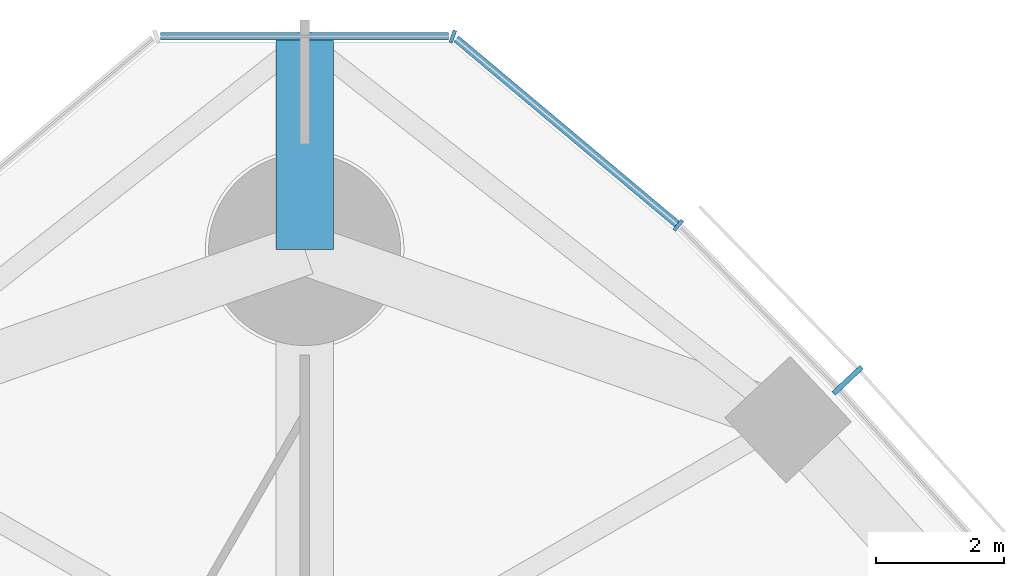
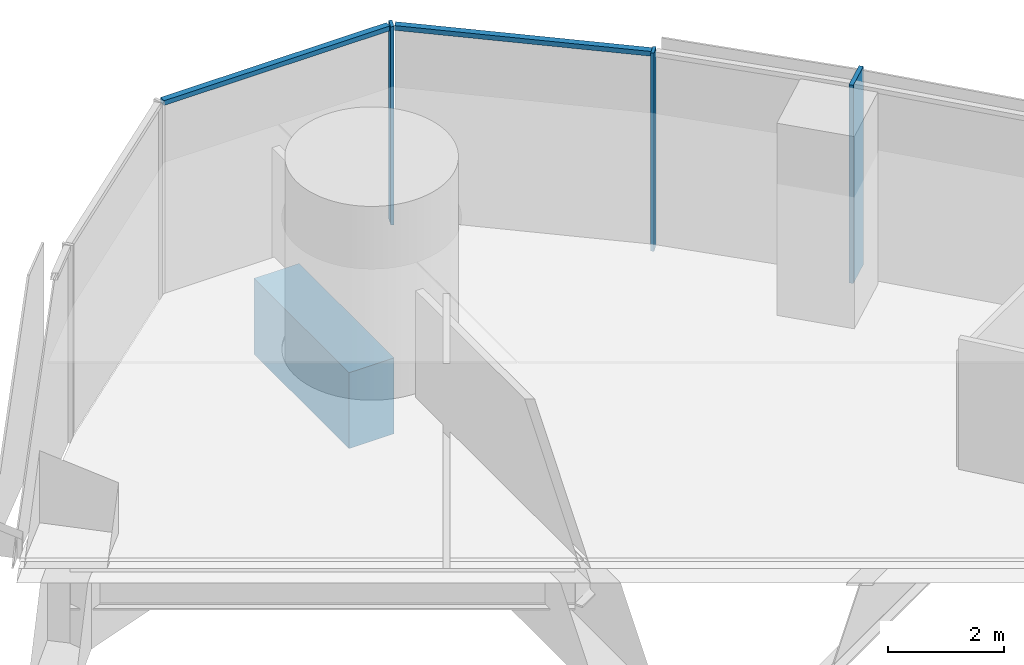
# One storey, part 8 of 19: 5 members, 1 beam, 2 elements without a shape of their own.
"""IFC4 building model written with IfcOpenShell, lengths in metres."""

import ifcopenshell
import ifcopenshell.guid

model = None  # the IFC model being written
_history = None  # IfcOwnerHistory: only IFC2X3 demands one
_inside = {}  # id of a spatial element -> (the spatial element, [elements in it])
_under = {}  # id of a project, library or spatial element -> (it, [spatial elements below it])
_declared = {}  # id of a project -> (the project, [libraries it declares])
_typed = {}  # id of a type object -> (the type object, [elements of that type])
_made_of = {}  # id of a material, layer set ... -> (it, [elements and type objects made of it])


def new_model(schema):
    """Start an empty IFC model of exactly this schema.

    Asked for "IFC4X3", IfcOpenShell would pick the latest addendum, in which some entities
    have other attributes; the version numbers below select the first issue.
    IFC2X3 requires an IfcOwnerHistory on every rooted entity: one is made here for all.
    """
    global model, _history
    if schema == "IFC4X3":
        model = ifcopenshell.file(schema_version=(4, 3, 0, 0))
    else:
        model = ifcopenshell.file(schema=schema)
    _inside.clear()
    _under.clear()
    _declared.clear()
    _typed.clear()
    _made_of.clear()
    _history = None
    if model.schema == "IFC2X3":
        org = make("IfcOrganization", Name="unknown")
        user = make(
            "IfcPersonAndOrganization",
            ThePerson=make("IfcPerson", FamilyName="unknown"),
            TheOrganization=org,
        )
        app = make(
            "IfcApplication",
            ApplicationDeveloper=org,
            Version="unknown",
            ApplicationFullName="unknown",
            ApplicationIdentifier="unknown",
        )
        _history = make(
            "IfcOwnerHistory",
            OwningUser=user,
            OwningApplication=app,
            ChangeAction="ADDED",
            CreationDate=0,
        )
    return model


def make(cls, **values):
    """One entity of the class cls with the attributes given. An attribute that is None is left unset."""
    return model.create_entity(
        cls, **{name: value for name, value in values.items() if value is not None}
    )


def rooted(cls, **values):
    """An entity with a GlobalId (a new one), such as an element, a storey or a relation."""
    return make(cls, GlobalId=ifcopenshell.guid.new(), OwnerHistory=_history, **values)


def si_unit(unit_type, name, prefix=None):
    """IfcSIUnit, for example si_unit("LENGTHUNIT", "METRE", prefix="MILLI")."""
    return make("IfcSIUnit", UnitType=unit_type, Prefix=prefix, Name=name)


def assignment(units):
    """IfcUnitAssignment: the units of a project."""
    return None if units is None else make("IfcUnitAssignment", Units=units)


def point(xyz):
    """IfcCartesianPoint."""
    return None if xyz is None else make("IfcCartesianPoint", Coordinates=xyz)


def direction(xyz):
    """IfcDirection."""
    return None if xyz is None else make("IfcDirection", DirectionRatios=xyz)


def frame(location, z_axis=None, x_axis=None):
    """IfcAxis2Placement3D, a coordinate frame: its origin and axes. An axis left out is left unset."""
    return make(
        "IfcAxis2Placement3D",
        Location=point(location),
        Axis=direction(z_axis),
        RefDirection=direction(x_axis),
    )


def frame_2d(location, x_axis=None):
    """IfcAxis2Placement2D, a coordinate frame in the plane: its origin and x axis."""
    return make(
        "IfcAxis2Placement2D", Location=point(location), RefDirection=direction(x_axis)
    )


def origin():
    """The frame at (0, 0, 0) with its axes left unset."""
    return frame((0.0, 0.0, 0.0))


def origin_2d():
    """The frame at (0, 0) in the plane with its x axis left unset."""
    return frame_2d((0.0, 0.0))


def place(relative_to, where):
    """IfcLocalPlacement: puts the frame where relative to a parent placement (None: the world)."""
    return make(
        "IfcLocalPlacement", PlacementRelTo=relative_to, RelativePlacement=where
    )


def context(
    kind, dimensions, precision=None, world=None, true_north=None, identifier=None
):
    """IfcGeometricRepresentationContext, for example the 3D "Model" context."""
    return make(
        "IfcGeometricRepresentationContext",
        ContextIdentifier=identifier,
        ContextType=kind,
        CoordinateSpaceDimension=dimensions,
        Precision=precision,
        WorldCoordinateSystem=world,
        TrueNorth=true_north,
    )


def subcontext(parent, identifier, kind, view, scale=None):
    """IfcGeometricRepresentationSubContext, for example "Body" below "Model"."""
    return make(
        "IfcGeometricRepresentationSubContext",
        ContextIdentifier=identifier,
        ContextType=kind,
        ParentContext=parent,
        TargetScale=scale,
        TargetView=view,
    )


def project(units=None, contexts=None):
    """IfcProject with its units and contexts."""
    return rooted(
        "IfcProject",
        Name="project",
        RepresentationContexts=contexts,
        UnitsInContext=assignment(units),
    )


def spatial(cls, under=None, at=None, **own):
    """A site, building, storey or space (cls), placed at a placement, below another one or the project."""
    s = rooted(cls, ObjectPlacement=at, **own)
    if under is not None:
        _under.setdefault(under.id(), (under, []))[1].append(s)
    return s


def profile(cls, at=None, kind="AREA", **sizes):
    """A parametric profile (cls). Its sizes go by their IFC names, for example OverallWidth=200.0."""
    return make(cls, ProfileType=kind, Position=at, **sizes)


def rectangle(**sizes):
    """IfcRectangleProfileDef."""
    return profile("IfcRectangleProfileDef", **sizes)


def extrude(swept, where, along, depth):
    """IfcExtrudedAreaSolid: the profile swept, set in the frame where, extruded along a direction by depth."""
    return make(
        "IfcExtrudedAreaSolid",
        SweptArea=swept,
        Position=where,
        ExtrudedDirection=direction(along),
        Depth=depth,
    )


def shape(context_of_items, identifier, shape_type, items):
    """IfcShapeRepresentation: the items that make up one representation, for example the "Body"."""
    return make(
        "IfcShapeRepresentation",
        ContextOfItems=context_of_items,
        RepresentationIdentifier=identifier,
        RepresentationType=shape_type,
        Items=items,
    )


def material(Name=None, Category=None):
    """IfcMaterial."""
    return make("IfcMaterial", Name=Name, Category=Category)


def material_profile(
    of_material, cross_section, Name=None, Category=None, Priority=None
):
    """IfcMaterialProfile: a cross section and its material."""
    return make(
        "IfcMaterialProfile",
        Name=Name,
        Material=of_material,
        Profile=cross_section,
        Priority=Priority,
        Category=Category,
    )


def profile_set(profiles, Name=None, composite=None):
    """IfcMaterialProfileSet."""
    return make(
        "IfcMaterialProfileSet",
        Name=Name,
        MaterialProfiles=profiles,
        CompositeProfile=composite,
    )


def made_of(thing, what):
    """Note that an element or type object is made of a material, layer set ...; save() writes the relation."""
    if what is not None:
        _made_of.setdefault(what.id(), (what, []))[1].append(thing)
    return thing


def type_object(cls, material=None, **own):
    """A type object (cls), such as IfcWallType, which elements share."""
    return made_of(rooted(cls, **own), material)


def element(
    cls,
    number,
    at=None,
    inside=None,
    cuts=None,
    type_object=None,
    material=None,
    context=None,
    identifier="Body",
    shape_type=None,
    held_by="IfcProductDefinitionShape",
    body=None,
    shapes=None,
    **own,
):
    """One element of the class cls, such as IfcWall. Its Tag is "e" and its number.

    at: its placement. inside: the storey or other place that contains it. cuts: it is an
    opening in that element (IfcRelVoidsElement). A single representation is given by context,
    identifier, shape_type and body (its items); several are given by shapes. held_by: the class
    of the entity that holds the representations. save() writes the other relations.
    """
    e = rooted(cls, Tag="e%d" % number, ObjectPlacement=at, **own)
    if body is not None:
        shapes = [shape(context, identifier, shape_type, body)]
    if shapes is not None:
        e.Representation = make(held_by, Representations=shapes)
    if inside is not None:
        _inside.setdefault(inside.id(), (inside, []))[1].append(e)
    if cuts is not None:
        rooted(
            "IfcRelVoidsElement", RelatingBuildingElement=cuts, RelatedOpeningElement=e
        )
    if type_object is not None:
        _typed.setdefault(type_object.id(), (type_object, []))[1].append(e)
    return made_of(e, material)


def aggregate(whole, parts):
    """IfcRelAggregates: a whole, such as a stair, and the parts it consists of."""
    return rooted("IfcRelAggregates", RelatingObject=whole, RelatedObjects=parts)


def save(model, path):
    """Write the relations noted so far, then the file.

    IfcRelAggregates (storeys below a building ...), IfcRelContainedInSpatialStructure (elements
    in a storey), IfcRelDefinesByType, IfcRelAssociatesMaterial and IfcRelDeclares: one each for
    every whole, place, type object, material and project.
    """
    for whole, parts in _under.values():
        aggregate(whole, parts)
    for where, things in _inside.values():
        rooted(
            "IfcRelContainedInSpatialStructure",
            RelatedElements=things,
            RelatingStructure=where,
        )
    for kind, things in _typed.values():
        rooted("IfcRelDefinesByType", RelatedObjects=things, RelatingType=kind)
    for what, things in _made_of.values():
        rooted("IfcRelAssociatesMaterial", RelatedObjects=things, RelatingMaterial=what)
    for by, libraries in _declared.values():
        rooted("IfcRelDeclares", RelatingContext=by, RelatedDefinitions=libraries)
    model.write(path)


model = new_model("IFC4")

# Units and contexts
model_context = context("Model", 3, precision=1e-05, world=origin(), true_north=direction((0.0, 1.0)))
body_context = subcontext(model_context, "Body", "Model", "MODEL_VIEW")
ifc_project = project(units=[si_unit("LENGTHUNIT", "METRE"), si_unit("AREAUNIT", "SQUARE_METRE"), si_unit("VOLUMEUNIT", "CUBIC_METRE"), si_unit("PLANEANGLEUNIT", "RADIAN"), si_unit("MASSUNIT", "GRAM", prefix="KILO")], contexts=[model_context])

# Site, building, storey
site_placement = place(None, origin())
site = spatial("IfcSite", under=ifc_project, at=site_placement, CompositionType="ELEMENT")
building_placement = place(site_placement, origin())
building = spatial("IfcBuilding", under=site, at=building_placement, Name="Trefoil Bronze Tower", CompositionType="ELEMENT")
storey_placement = place(building_placement, frame((0.0, 0.0, 256.89990234375)))
storey = spatial("IfcBuildingStorey", under=building, at=storey_placement, Name="L59", CompositionType="ELEMENT", Elevation=256.89990234375)

# Curtain wall, member
ifc_material_1 = material(Name="Tinted solar-control glass", Category="glass")
curtain_wall_type_1 = type_object("IfcCurtainWallType", Name="Bronze office curtain wall", PredefinedType="USERDEFINED", material=ifc_material_1)
curtain_wall_1_placement = place(storey_placement, origin())
curtain_wall_1 = element("IfcCurtainWall", 1, at=curtain_wall_1_placement, inside=storey, type_object=curtain_wall_type_1, Name="CW-A L59 F2", ObjectType="CURTAIN WALL", PredefinedType="USERDEFINED")
ifc_material_2 = material(Name="Bronze-finish aluminium", Category="aluminium")
ifc_material_profile_1 = material_profile(ifc_material_2, rectangle(XDim=0.60009765625, YDim=0.080078125, at=origin_2d()), Name="CW-A mullion")
ifc_profile_set_1 = profile_set([ifc_material_profile_1], Name="Bronze-finish aluminium")
member_type_1 = type_object("IfcMemberType", Name="Bronze office curtain wall mullion", PredefinedType="MULLION", material=ifc_profile_set_1)
member_1_placement = place(storey_placement, frame((8.482177734375, 30.95654296875, 0.0), z_axis=(0.0, 0.0, 1.0), x_axis=(-0.729859580661, -0.683597098091, 0.0)))
member_1 = element("IfcMember", 2, at=member_1_placement, type_object=member_type_1, Name="CW-A L59 F2 mullion 12", PredefinedType="MULLION", context=body_context, shape_type="SweptSolid", body=[
    extrude(rectangle(XDim=0.60009765625, YDim=0.080078125, at=origin_2d()), origin(), (0.0, 0.0, 1.0), 4.18017578125),
])
aggregate(curtain_wall_1, [member_1])

# Curtain wall, members
ifc_material_3 = material(Name="Tinted solar-control glass", Category="glass")
curtain_wall_type_2 = type_object("IfcCurtainWallType", Name="Bronze rounded corner curtain wall", PredefinedType="USERDEFINED", material=ifc_material_3)
curtain_wall_2_placement = place(storey_placement, origin())
curtain_wall_2 = element("IfcCurtainWall", 3, at=curtain_wall_2_placement, inside=storey, type_object=curtain_wall_type_2, Name="CW-B L59 K2", ObjectType="CURTAIN WALL", PredefinedType="USERDEFINED")
ifc_material_4 = material(Name="Bronze-finish aluminium", Category="aluminium")
ifc_material_profile_2 = material_profile(ifc_material_4, rectangle(XDim=0.199951171875, YDim=0.06005859375, at=origin_2d()), Name="CW-B mullion")
ifc_profile_set_2 = profile_set([ifc_material_profile_2], Name="Bronze-finish aluminium")
member_type_2 = type_object("IfcMemberType", Name="Bronze rounded corner curtain wall mullion", PredefinedType="MULLION", material=ifc_profile_set_2)
member_2_placement = place(storey_placement, frame((5.837890625, 33.3779296875, 0.0), z_axis=(0.0, 0.0, 1.0), x_axis=(-0.642787609687, -0.766044443119, 0.0)))
member_2 = element("IfcMember", 4, at=member_2_placement, type_object=member_type_2, Name="CW-B L59 K2 mullion 1", PredefinedType="MULLION", context=body_context, shape_type="SweptSolid", body=[
    extrude(rectangle(XDim=0.199951171875, YDim=0.06005859375, at=origin_2d()), origin(), (0.0, 0.0, 1.0), 4.18017578125),
])
member_3_placement = place(storey_placement, frame((2.314453125, 36.326416015625, 0.0), z_axis=(0.0, 0.0, 1.0), x_axis=(-0.342020143326, -0.939692620786, 0.0)))
member_3 = element("IfcMember", 5, at=member_3_placement, type_object=member_type_2, Name="CW-B L59 K2 mullion 2", PredefinedType="MULLION", context=body_context, shape_type="SweptSolid", body=[
    extrude(rectangle(XDim=0.199951171875, YDim=0.06005859375, at=origin_2d()), origin(), (0.0, 0.0, 1.0), 4.18017578125),
])
ifc_material_5 = material(Name="Bronze-finish aluminium", Category="aluminium")
ifc_material_profile_3 = material_profile(ifc_material_5, rectangle(XDim=0.1201171875, YDim=0.10009765625, at=origin_2d()), Name="CW-B transom")
ifc_profile_set_3 = profile_set([ifc_material_profile_3], Name="Bronze-finish aluminium")
member_type_3 = type_object("IfcMemberType", Name="Bronze rounded corner curtain wall transom", PredefinedType="USERDEFINED", material=ifc_profile_set_3)
member_4_placement = place(storey_placement, frame((5.814697265625, 33.397216796875, 4.130126953125), z_axis=(-0.766046761698, 0.642784846501, 0.0), x_axis=(-0.642784846501, -0.766046761698, 0.0)))
member_4 = element("IfcMember", 6, at=member_4_placement, type_object=member_type_3, Name="CW-B L59 K2 transom 1", ObjectType="TRANSOM", PredefinedType="USERDEFINED", context=body_context, shape_type="SweptSolid", body=[
    extrude(rectangle(XDim=0.1201171875, YDim=0.10009765625, at=origin_2d()), origin(), (0.0, 0.0, 1.0), 4.5),
])
member_5_placement = place(storey_placement, frame((2.250244140625, 36.33251953125, 4.130126953125), z_axis=(-1.0, 0.0, 0.0), x_axis=(0.0, -1.0, 0.0)))
member_5 = element("IfcMember", 7, at=member_5_placement, type_object=member_type_3, Name="CW-B L59 K2 transom 2", ObjectType="TRANSOM", PredefinedType="USERDEFINED", context=body_context, shape_type="SweptSolid", body=[
    extrude(rectangle(XDim=0.1201171875, YDim=0.10009765625, at=origin_2d()), origin(), (0.0, 0.0, 1.0), 4.50048828125),
])
aggregate(curtain_wall_2, [member_2, member_3, member_4, member_5])

# Beam
ifc_material_6 = material(Name="Concrete B80", Category="concrete")
ifc_material_profile_4 = material_profile(ifc_material_6, rectangle(XDim=0.89990234375, YDim=1.60009765625, at=origin_2d()), Name="RC 900x1600")
ifc_profile_set_4 = profile_set([ifc_material_profile_4], Name="Concrete B80")
beam_type = type_object("IfcBeamType", Name="Corner cantilever RC 900x1600", PredefinedType="BEAM", material=ifc_profile_set_4)
beam_placement = place(storey_placement, frame((0.0, 33.0, -1.0), z_axis=(0.0, 1.0, 0.0), x_axis=(-1.0, 0.0, 0.0)))
element("IfcBeam", 8, at=beam_placement, inside=storey, type_object=beam_type, Name="Corner cantilever K2 L59", PredefinedType="BEAM", context=body_context, shape_type="SweptSolid", body=[
    extrude(rectangle(XDim=0.89990234375, YDim=1.60009765625, at=origin_2d()), origin(), (0.0, 0.0, 1.0), 3.28466796875),
])

save(model, "model.ifc")
